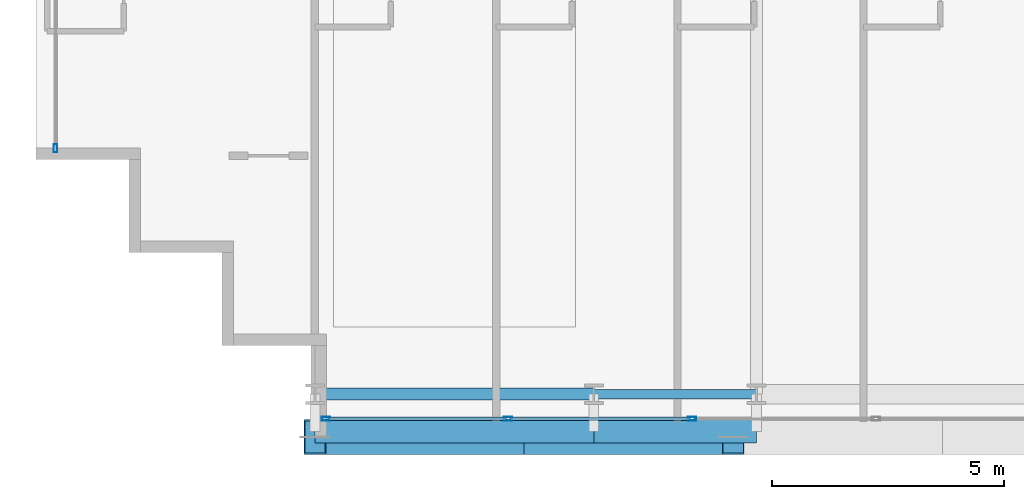
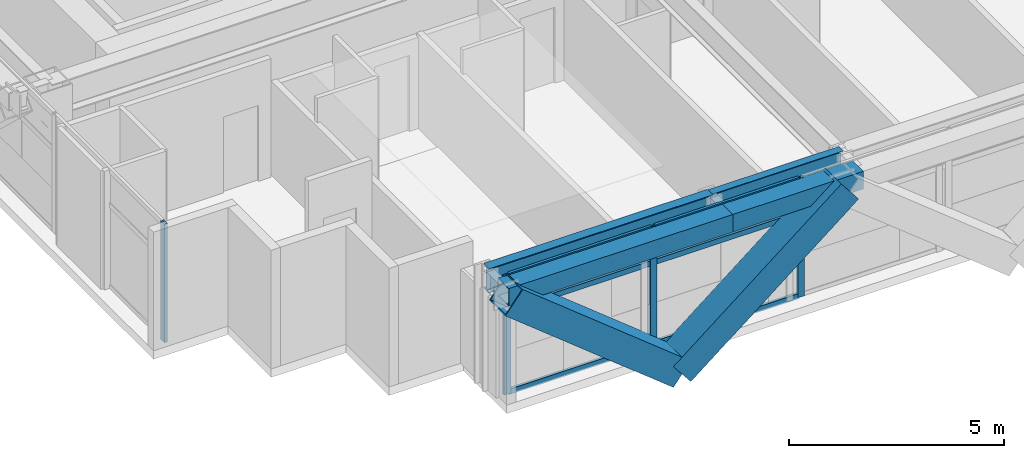
# One storey, part 2 of 36: 12 members, 4 beams, 2 elements without a shape of their own.
"""IFC4 building model written with IfcOpenShell, lengths in metres."""

from ifc_helpers import new_model, si_unit, direction, frame, origin, origin_2d, place, context, subcontext, project, spatial, hollow_rectangle, i_section, extrude, source, transform, mapped, material, layer, layer_set, material_profile, profile_set, type_object, element, aggregate, save


model = new_model("IFC4")

# Units and contexts
model_context = context("Model", 3, precision=1e-05, world=origin(), true_north=direction((0.0, 1.0)))
body_context = subcontext(model_context, "Body", "Model", "MODEL_VIEW")
ifc_project = project(units=[si_unit("LENGTHUNIT", "METRE"), si_unit("AREAUNIT", "SQUARE_METRE"), si_unit("VOLUMEUNIT", "CUBIC_METRE"), si_unit("PLANEANGLEUNIT", "RADIAN"), si_unit("MASSUNIT", "GRAM", prefix="KILO")], contexts=[model_context])

# Site, building, storey
site_placement = place(None, origin())
site = spatial("IfcSite", under=ifc_project, at=site_placement, CompositionType="ELEMENT")
building_placement = place(site_placement, origin())
building = spatial("IfcBuilding", under=site, at=building_placement, Name="Ocotamira Hotel", CompositionType="ELEMENT")
storey_placement = place(building_placement, frame((0.0, 0.0, 129.60009765625)))
storey = spatial("IfcBuildingStorey", under=building, at=storey_placement, Name="L32", CompositionType="ELEMENT", Elevation=129.60009765625)

# Beams
ifc_material_1 = material(Name="Steel ASTM A992 Grade 50", Category="steel")
ifc_material_profile_1 = material_profile(ifc_material_1, i_section(OverallWidth=0.256103515625, OverallDepth=0.693115234375, WebThickness=0.014404296875, FlangeThickness=0.023681640625, FilletRadius=0.01611328125, at=origin_2d()), Name="W27X114")
ifc_profile_set_1 = profile_set([ifc_material_profile_1], Name="Steel ASTM A992 Grade 50")
beam_type_1 = type_object("IfcBeamType", Name="BM-PRIM-W27X114", PredefinedType="BEAM", material=ifc_profile_set_1)
shared_shape_1 = source(origin(), body_context, "Body", "SweptSolid", [
    extrude(i_section(OverallWidth=0.256103515625, OverallDepth=0.693115234375, WebThickness=0.014404296875, FlangeThickness=0.023681640625, FilletRadius=0.01611328125, at=origin_2d()), origin(), (0.0, 0.0, 1.0), 6.0),
])
beam_1_placement = place(storey_placement, frame((14.0, 2.949951171875, 3.013427734375), z_axis=(1.0, 0.0, 0.0), x_axis=(0.0, 1.0, 0.0)))
element("IfcBeam", 1, at=beam_1_placement, inside=storey, type_object=beam_type_1, Name="L32 Girder Y2.95 X14-20", PredefinedType="BEAM", context=body_context, shape_type="MappedRepresentation", body=[
    mapped(shared_shape_1, transform((0.0, 0.0, 0.0), scale=1.0)),
])
ifc_material_profile_2 = material_profile(ifc_material_1, i_section(OverallWidth=0.2099609375, OverallDepth=0.537109375, WebThickness=0.010986328125, FlangeThickness=0.017333984375, FilletRadius=0.012939453125, at=origin_2d()), Name="W21X68")
ifc_profile_set_2 = profile_set([ifc_material_profile_2], Name="Steel ASTM A992 Grade 50")
beam_type_2 = type_object("IfcBeamType", Name="BM-SEC-W21X68", PredefinedType="JOIST", material=ifc_profile_set_2)
shared_shape_2 = source(origin(), body_context, "Body", "SweptSolid", [
    extrude(i_section(OverallWidth=0.2099609375, OverallDepth=0.537109375, WebThickness=0.010986328125, FlangeThickness=0.017333984375, FilletRadius=0.012939453125, at=origin_2d()), origin(), (0.0, 0.0, 1.0), 3.5),
])
beam_2_placement = place(storey_placement, frame((20.0, 2.949951171875, 3.09130859375), z_axis=(1.0, 0.0, 0.0), x_axis=(0.0, 1.0, 0.0)))
element("IfcBeam", 2, at=beam_2_placement, inside=storey, type_object=beam_type_2, Name="L32 Girder Y2.95 X20-23.5", PredefinedType="JOIST", context=body_context, shape_type="MappedRepresentation", body=[
    mapped(shared_shape_2, transform((0.0, 0.0, 0.0), scale=1.0)),
])
ifc_material_2 = material(Name="Steel ASTM A500 Grade C", Category="steel")
ifc_material_profile_3 = material_profile(ifc_material_2, hollow_rectangle(XDim=0.5, YDim=0.5, WallThickness=0.02001953125, at=origin_2d()), Name="HSS500X500X20")
ifc_profile_set_3 = profile_set([ifc_material_profile_3], Name="Steel ASTM A500 Grade C")
beam_type_3 = type_object("IfcBeamType", Name="BM-SPAN-HSS500", PredefinedType="USERDEFINED", material=ifc_profile_set_3)
shared_shape_3 = source(origin(), body_context, "Body", "SweptSolid", [
    extrude(hollow_rectangle(XDim=0.5, YDim=0.5, WallThickness=0.02001953125, at=origin_2d()), origin(), (0.0, 0.0, 1.0), 6.0),
])
beam_3_placement = place(storey_placement, frame((14.0, 2.14990234375, 3.10986328125), z_axis=(1.0, 0.0, 0.0), x_axis=(0.0, 1.0, 0.0)))
element("IfcBeam", 3, at=beam_3_placement, inside=storey, type_object=beam_type_3, Name="L32 Edge Spandrel S X14-20", ObjectType="SPANDREL", PredefinedType="USERDEFINED", context=body_context, shape_type="MappedRepresentation", body=[
    mapped(shared_shape_3, transform((0.0, 0.0, 0.0), scale=1.0)),
])
shared_shape_4 = source(origin(), body_context, "Body", "SweptSolid", [
    extrude(hollow_rectangle(XDim=0.5, YDim=0.5, WallThickness=0.02001953125, at=origin_2d()), origin(), (0.0, 0.0, 1.0), 3.5),
])
beam_4_placement = place(storey_placement, frame((20.0, 2.14990234375, 3.10986328125), z_axis=(1.0, 0.0, 0.0), x_axis=(0.0, 1.0, 0.0)))
element("IfcBeam", 4, at=beam_4_placement, inside=storey, type_object=beam_type_3, Name="L32 Edge Spandrel S X20-23.5", ObjectType="SPANDREL", PredefinedType="USERDEFINED", context=body_context, shape_type="MappedRepresentation", body=[
    mapped(shared_shape_4, transform((0.0, 0.0, 0.0), scale=1.0)),
])

# Members
ifc_material_3 = material(Name="Pale-metal coated steel ASTM A913 Grade 65", Category="steel")
ifc_material_profile_4 = material_profile(ifc_material_3, hollow_rectangle(XDim=0.75, YDim=0.75, WallThickness=0.028076171875, at=origin_2d()), Name="BOX750X750X28")
ifc_profile_set_4 = profile_set([ifc_material_profile_4], Name="Pale-metal coated steel ASTM A913 Grade 65")
member_type_1 = type_object("IfcMemberType", Name="MEM-EXO-BOX750", PredefinedType="BRACE", material=ifc_profile_set_4)
shared_shape_5 = source(origin(), body_context, "Body", "SweptSolid", [
    extrude(hollow_rectangle(XDim=0.75, YDim=0.75, WallThickness=0.028076171875, at=origin_2d()), origin(), (0.0, 0.0, 1.0), 5.7626953125),
])
for number, where, z_axis, x_axis, name in (
    (5, (18.5, 2.030029296875, -0.489990234375), (-0.780881208953, 0.0, 0.624679547852), (0.0, -1.0, 0.0), "L32 Exoskeleton Diagrid S0.1"),
    (6, (18.5, 2.030029296875, -0.489990234375), (0.780881208953, 0.0, 0.624679547852), (0.0, 1.0, 0.0), "L32 Exoskeleton Diagrid S0.2"),
):
    element("IfcMember", number, at=place(storey_placement, frame(where, z_axis=z_axis, x_axis=x_axis)), inside=storey, type_object=member_type_1, Name=name, PredefinedType="BRACE", context=body_context, shape_type="MappedRepresentation", body=[
        mapped(shared_shape_5, transform((0.0, 0.0, 0.0), scale=1.0)),
    ])

# Curtain wall, members
ifc_material_4 = material(Name="Anodised pale-metal aluminium and solar glass", Category="aluminium")
ifc_layer = layer(ifc_material_4, 0.179931640625)
ifc_layer_set = layer_set([ifc_layer], Name="Anodised pale-metal aluminium and solar glass")
curtain_wall_type = type_object("IfcCurtainWallType", Name="CW-SYS3-Z2", PredefinedType="NOTDEFINED", material=ifc_layer_set)
curtain_wall_1_placement = place(storey_placement, origin())
curtain_wall_1 = element("IfcCurtainWall", 7, at=curtain_wall_1_placement, inside=storey, type_object=curtain_wall_type, Name="L32 Curtain Wall CW-3 CW-L32-S1", PredefinedType="NOTDEFINED")
ifc_material_5 = material(Name="Anodised pale-metal aluminium 6063-T6", Category="aluminium")
ifc_material_profile_5 = material_profile(ifc_material_5, hollow_rectangle(XDim=0.074951171875, YDim=0.14990234375, WallThickness=0.006103515625, at=origin_2d()), Name="HSS150X75X6")
ifc_profile_set_5 = profile_set([ifc_material_profile_5], Name="Anodised pale-metal aluminium 6063-T6")
member_type_2 = type_object("IfcMemberType", Name="CWT-150X75", PredefinedType="USERDEFINED", material=ifc_profile_set_5)
shared_shape_6 = source(origin(), body_context, "Body", "SweptSolid", [
    extrude(hollow_rectangle(XDim=0.074951171875, YDim=0.14990234375, WallThickness=0.006103515625, at=origin_2d()), origin(), (0.0, 0.0, 1.0), 3.83544921875),
])
member_1_placement = place(storey_placement, frame((14.280029296875, 2.419921875, 0.037353515625), z_axis=(1.0, 0.0, 0.0), x_axis=(0.0, 1.0, 0.0)))
member_1 = element("IfcMember", 8, at=member_1_placement, type_object=member_type_2, Name="CW-3 transom 1.1", ObjectType="TRANSOM", PredefinedType="USERDEFINED", context=body_context, shape_type="MappedRepresentation", body=[
    mapped(shared_shape_6, transform((0.0, 0.0, 0.0), scale=1.0)),
])
member_2_placement = place(storey_placement, frame((14.280029296875, 2.419921875, 2.349853515625), z_axis=(1.0, 0.0, 0.0), x_axis=(0.0, 1.0, 0.0)))
member_2 = element("IfcMember", 9, at=member_2_placement, type_object=member_type_2, Name="CW-3 transom 1.2", ObjectType="TRANSOM", PredefinedType="USERDEFINED", context=body_context, shape_type="MappedRepresentation", body=[
    mapped(shared_shape_6, transform((0.0, 0.0, 0.0), scale=1.0)),
])
member_3_placement = place(storey_placement, frame((14.280029296875, 2.419921875, 3.322509765625), z_axis=(1.0, 0.0, 0.0), x_axis=(0.0, 1.0, 0.0)))
member_3 = element("IfcMember", 10, at=member_3_placement, type_object=member_type_2, Name="CW-3 transom 1.3", ObjectType="TRANSOM", PredefinedType="USERDEFINED", context=body_context, shape_type="MappedRepresentation", body=[
    mapped(shared_shape_6, transform((0.0, 0.0, 0.0), scale=1.0)),
])
shared_shape_7 = source(origin(), body_context, "Body", "SweptSolid", [
    extrude(hollow_rectangle(XDim=0.074951171875, YDim=0.14990234375, WallThickness=0.006103515625, at=origin_2d()), origin(), (0.0, 0.0, 1.0), 3.87548828125),
])
member_4_placement = place(storey_placement, frame((18.195556640625, 2.419921875, 0.037353515625), z_axis=(1.0, 0.0, 0.0), x_axis=(0.0, 1.0, 0.0)))
member_4 = element("IfcMember", 11, at=member_4_placement, type_object=member_type_2, Name="CW-3 transom 2.1", ObjectType="TRANSOM", PredefinedType="USERDEFINED", context=body_context, shape_type="MappedRepresentation", body=[
    mapped(shared_shape_7, transform((0.0, 0.0, 0.0), scale=1.0)),
])
member_5_placement = place(storey_placement, frame((18.195556640625, 2.419921875, 2.349853515625), z_axis=(1.0, 0.0, 0.0), x_axis=(0.0, 1.0, 0.0)))
member_5 = element("IfcMember", 12, at=member_5_placement, type_object=member_type_2, Name="CW-3 transom 2.2", ObjectType="TRANSOM", PredefinedType="USERDEFINED", context=body_context, shape_type="MappedRepresentation", body=[
    mapped(shared_shape_7, transform((0.0, 0.0, 0.0), scale=1.0)),
])
member_6_placement = place(storey_placement, frame((18.195556640625, 2.419921875, 3.322509765625), z_axis=(1.0, 0.0, 0.0), x_axis=(0.0, 1.0, 0.0)))
member_6 = element("IfcMember", 13, at=member_6_placement, type_object=member_type_2, Name="CW-3 transom 2.3", ObjectType="TRANSOM", PredefinedType="USERDEFINED", context=body_context, shape_type="MappedRepresentation", body=[
    mapped(shared_shape_7, transform((0.0, 0.0, 0.0), scale=1.0)),
])
ifc_material_profile_6 = material_profile(ifc_material_5, hollow_rectangle(XDim=0.080078125, YDim=0.179931640625, WallThickness=0.006103515625, at=origin_2d()), Name="HSS180X80X6")
ifc_profile_set_6 = profile_set([ifc_material_profile_6], Name="Anodised pale-metal aluminium 6063-T6")
member_type_3 = type_object("IfcMemberType", Name="CWM-180X75", PredefinedType="MULLION", material=ifc_profile_set_6)
shared_shape_8 = source(origin(), body_context, "Body", "SweptSolid", [
    extrude(hollow_rectangle(XDim=0.080078125, YDim=0.179931640625, WallThickness=0.006103515625, at=origin_2d()), origin(), (0.0, 0.0, 1.0), 3.35986328125),
])
member_7_placement = place(storey_placement, frame((14.239990234375, 2.419921875, 0.0), z_axis=(0.0, 0.0, 1.0), x_axis=(0.0, 1.0, 0.0)))
member_7 = element("IfcMember", 14, at=member_7_placement, type_object=member_type_3, Name="CW-3 mullion 1", PredefinedType="MULLION", context=body_context, shape_type="MappedRepresentation", body=[
    mapped(shared_shape_8, transform((0.0, 0.0, 0.0), scale=1.0)),
])
member_8_placement = place(storey_placement, frame((18.155517578125, 2.419921875, 0.0), z_axis=(0.0, 0.0, 1.0), x_axis=(0.0, 1.0, 0.0)))
member_8 = element("IfcMember", 15, at=member_8_placement, type_object=member_type_3, Name="CW-3 mullion 2", PredefinedType="MULLION", context=body_context, shape_type="MappedRepresentation", body=[
    mapped(shared_shape_8, transform((0.0, 0.0, 0.0), scale=1.0)),
])
member_9_placement = place(storey_placement, frame((22.111083984375, 2.419921875, 0.0), z_axis=(0.0, 0.0, 1.0), x_axis=(0.0, 1.0, 0.0)))
member_9 = element("IfcMember", 16, at=member_9_placement, type_object=member_type_3, Name="CW-3 mullion 3", PredefinedType="MULLION", context=body_context, shape_type="MappedRepresentation", body=[
    mapped(shared_shape_8, transform((0.0, 0.0, 0.0), scale=1.0)),
])
aggregate(curtain_wall_1, [member_7, member_8, member_9, member_1, member_2, member_3, member_4, member_5, member_6])

# Curtain wall, member
curtain_wall_2_placement = place(storey_placement, origin())
curtain_wall_2 = element("IfcCurtainWall", 17, at=curtain_wall_2_placement, inside=storey, type_object=curtain_wall_type, Name="L32 Curtain Wall CW-3 CW-L32-W", PredefinedType="NOTDEFINED")
member_10_placement = place(storey_placement, frame((8.419921875, 8.239990234375, 0.0), z_axis=(0.0, 0.0, 1.0), x_axis=(-1.0, 0.0, 0.0)))
member_10 = element("IfcMember", 18, at=member_10_placement, type_object=member_type_3, Name="CW-3 mullion 1", PredefinedType="MULLION", context=body_context, shape_type="MappedRepresentation", body=[
    mapped(shared_shape_8, transform((0.0, 0.0, 0.0), scale=1.0)),
])
aggregate(curtain_wall_2, [member_10])

save(model, "model.ifc")
